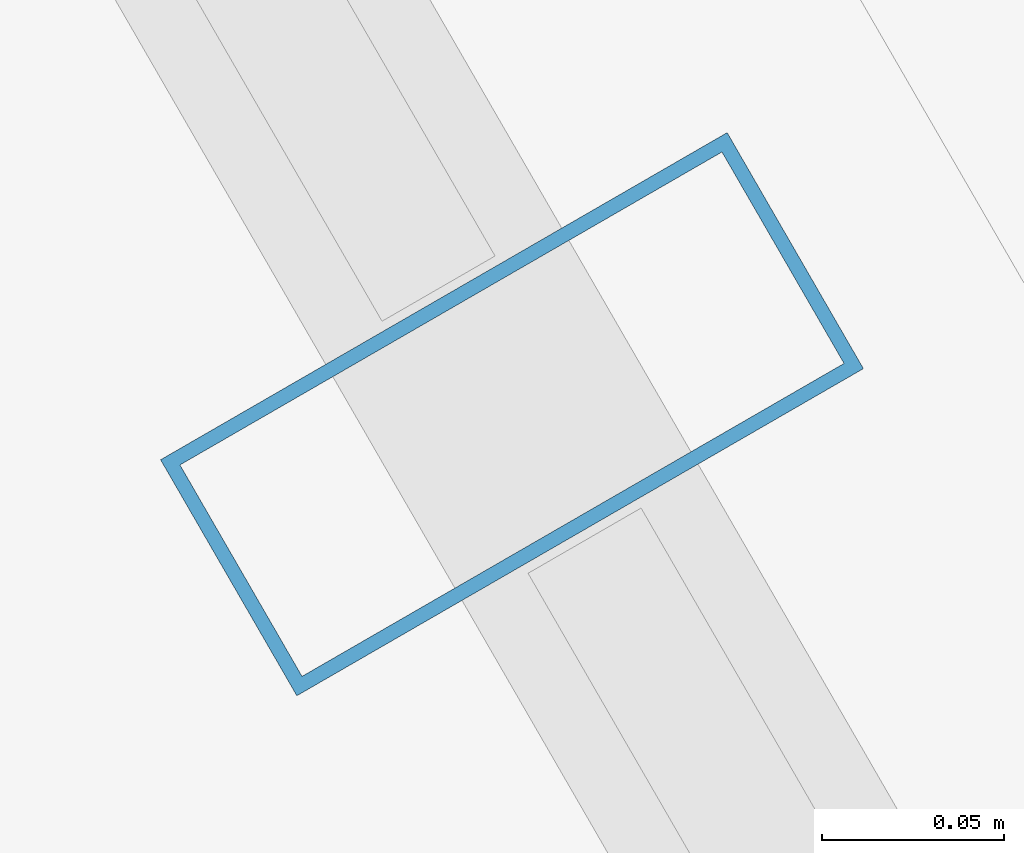
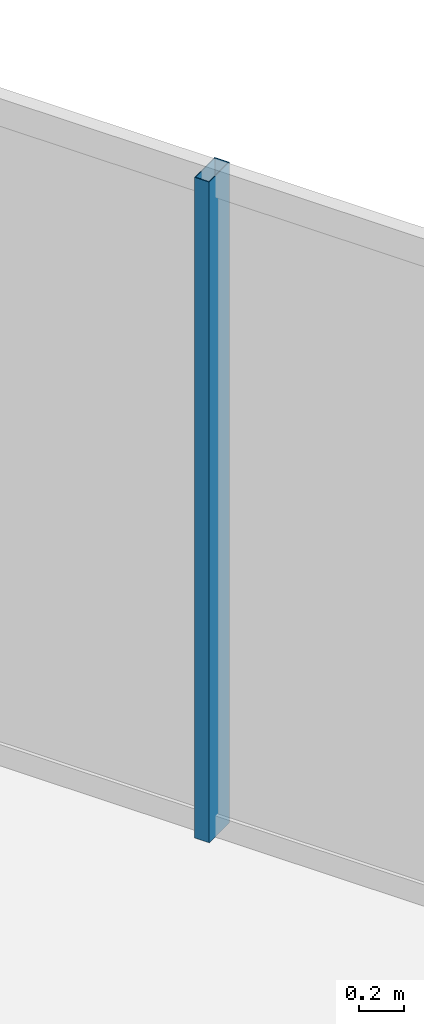
# One storey, part 23 of 37: 1 member, 1 element without a shape of its own.
"""IFC4 building model written with IfcOpenShell, lengths in metres."""

from ifc_helpers import new_model, si_unit, direction, frame, origin, origin_2d, place, context, subcontext, project, spatial, hollow_rectangle, extrude, material, layer, layer_set, material_profile, profile_set, type_object, element, aggregate, save


model = new_model("IFC4")

# Units and contexts
model_context = context("Model", 3, precision=1e-05, world=origin(), true_north=direction((0.0, 1.0)))
body_context = subcontext(model_context, "Body", "Model", "MODEL_VIEW")
ifc_project = project(units=[si_unit("LENGTHUNIT", "METRE"), si_unit("AREAUNIT", "SQUARE_METRE"), si_unit("VOLUMEUNIT", "CUBIC_METRE"), si_unit("PLANEANGLEUNIT", "RADIAN"), si_unit("MASSUNIT", "GRAM", prefix="KILO")], contexts=[model_context])

# Site, building, storey
site_placement = place(None, origin())
site = spatial("IfcSite", under=ifc_project, at=site_placement, CompositionType="ELEMENT")
building_placement = place(site_placement, origin())
building = spatial("IfcBuilding", under=site, at=building_placement, Name="Ndaravel Arena Tower", CompositionType="ELEMENT")
storey_placement = place(building_placement, frame((0.0, 0.0, 218.0)))
storey = spatial("IfcBuildingStorey", under=building, at=storey_placement, Name="L52", CompositionType="ELEMENT", Elevation=218.0)

# Curtain wall, member
ifc_material_1 = material(Name="Aluminium", Category="aluminium")
ifc_layer = layer(ifc_material_1, 0.179931640625)
ifc_layer_set = layer_set([ifc_layer], Name="Aluminium")
curtain_wall_type = type_object("IfcCurtainWallType", Name="CW-SYS-03", PredefinedType="NOTDEFINED", material=ifc_layer_set)
curtain_wall_placement = place(storey_placement, origin())
curtain_wall = element("IfcCurtainWall", 1, at=curtain_wall_placement, inside=storey, type_object=curtain_wall_type, Name="L52 Faceted Crystal Curtain Wall CW-L52-E03", PredefinedType="NOTDEFINED")
ifc_material_2 = material(Name="Aluminium", Category="aluminium")
ifc_material_profile = material_profile(ifc_material_2, hollow_rectangle(XDim=0.074951171875, YDim=0.179931640625, WallThickness=0.00390625, at=origin_2d()), Name="CW MULLION 75x180x4")
ifc_profile_set = profile_set([ifc_material_profile], Name="Aluminium")
member_type = type_object("IfcMemberType", Name="MEM-CW-MUL180", PredefinedType="MULLION", material=ifc_profile_set)
member_placement = place(storey_placement, frame((52.379638671875, 34.35791015625, 0.0), z_axis=(0.0, 0.0, 1.0), x_axis=(-0.5, 0.866025403784, 0.0)))
member = element("IfcMember", 2, at=member_placement, type_object=member_type, Name="CW-L52-E03 Mullion 06", PredefinedType="MULLION", context=body_context, shape_type="SweptSolid", body=[
    extrude(hollow_rectangle(XDim=0.074951171875, YDim=0.179931640625, WallThickness=0.00390625, at=origin_2d()), origin(), (0.0, 0.0, 1.0), 3.580078125),
])
aggregate(curtain_wall, [member])

save(model, "model.ifc")
